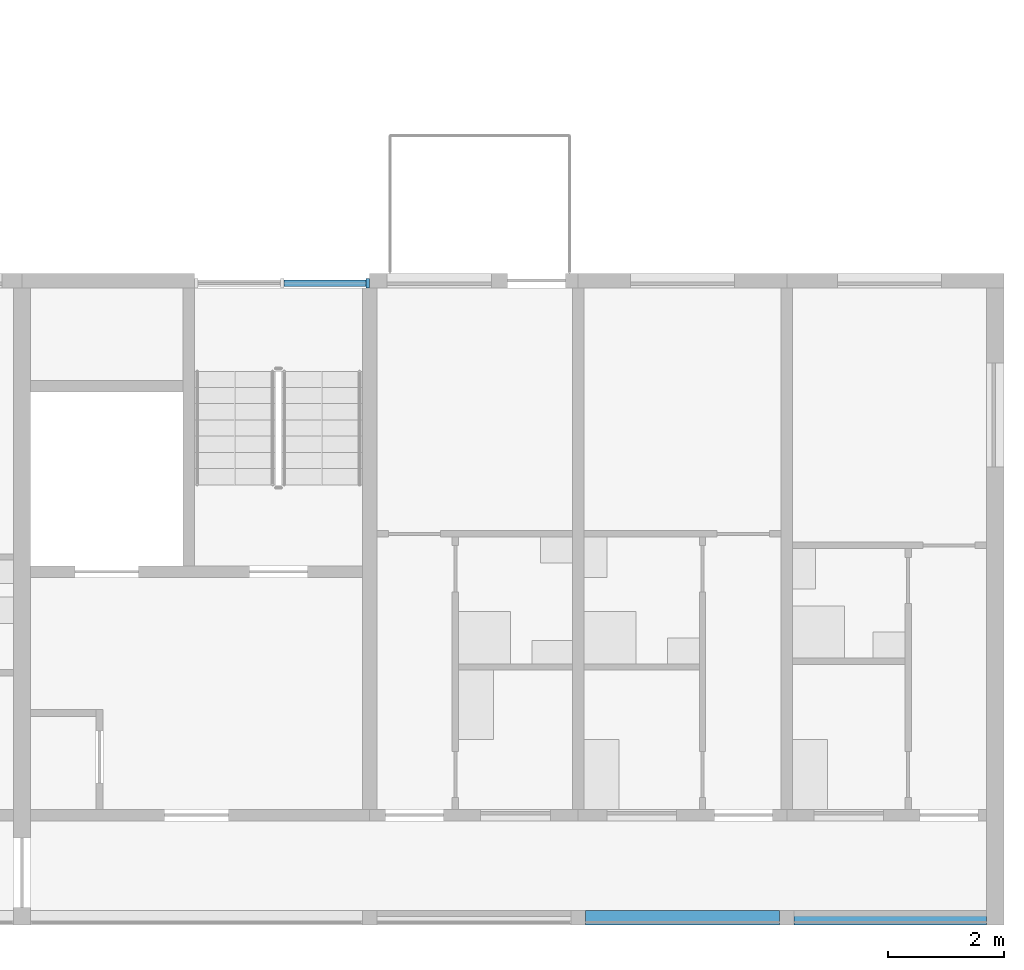
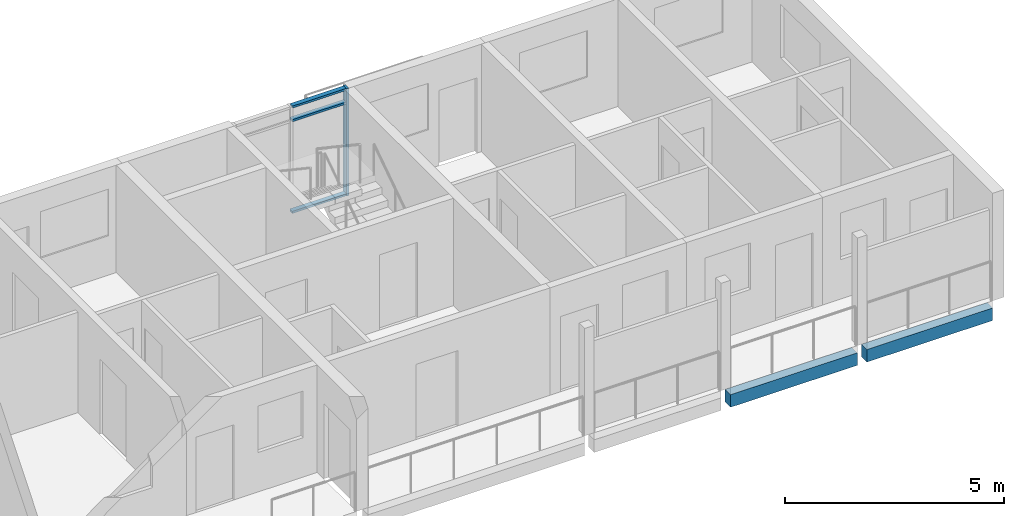
# One storey, part 19 of 87: 4 members, 2 beams, 1 element without a shape of its own.
"""IFC4 building model written with IfcOpenShell, lengths in metres."""

from ifc_helpers import new_model, si_unit, direction, frame, origin, origin_2d, place, context, subcontext, project, spatial, rectangle, extrude, material, material_profile, profile_set, type_object, element, aggregate, save


model = new_model("IFC4")

# Units and contexts
model_context = context("Model", 3, precision=1e-05, world=origin(), true_north=direction((0.0, 1.0)))
body_context = subcontext(model_context, "Body", "Model", "MODEL_VIEW")
ifc_project = project(units=[si_unit("LENGTHUNIT", "METRE"), si_unit("AREAUNIT", "SQUARE_METRE"), si_unit("VOLUMEUNIT", "CUBIC_METRE"), si_unit("PLANEANGLEUNIT", "RADIAN"), si_unit("MASSUNIT", "GRAM", prefix="KILO")], contexts=[model_context])

# Site, building, storey
site_placement = place(None, origin())
site = spatial("IfcSite", under=ifc_project, at=site_placement, CompositionType="ELEMENT")
building_placement = place(site_placement, origin())
building = spatial("IfcBuilding", under=site, at=building_placement, Name="Ridgestep Commons", CompositionType="ELEMENT")
storey_placement = place(building_placement, frame((0.0, 0.0, 27.0)))
storey = spatial("IfcBuildingStorey", under=building, at=storey_placement, Name="L09", CompositionType="ELEMENT", Elevation=27.0)

# Beams
ifc_material_1 = material(Name="Precast concrete C40/50", Category="concrete")
ifc_material_profile_1 = material_profile(ifc_material_1, rectangle(XDim=0.25, YDim=0.35009765625, at=origin_2d()), Name="PC 250x350")
ifc_profile_set_1 = profile_set([ifc_material_profile_1], Name="Precast concrete C40/50")
beam_type = type_object("IfcBeamType", Name="Loggia edge beam 250 x 350", PredefinedType="SPANDREL", material=ifc_profile_set_1)
beam_1_placement = place(storey_placement, frame((240.52490234375, 11.875, -0.375), z_axis=(1.0, 0.0, 0.0), x_axis=(0.0, 1.0, 0.0)))
element("IfcBeam", 1, at=beam_1_placement, inside=storey, type_object=beam_type, Name="Loggia edge beam D6T2 L09", PredefinedType="SPANDREL", context=body_context, shape_type="SweptSolid", body=[
    extrude(rectangle(XDim=0.25, YDim=0.35009765625, at=origin_2d()), origin(), (0.0, 0.0, 1.0), 3.35009765625),
])
beam_2_placement = place(storey_placement, frame((244.125, 11.875, -0.375), z_axis=(1.0, 0.0, 0.0), x_axis=(0.0, 1.0, 0.0)))
element("IfcBeam", 2, at=beam_2_placement, inside=storey, type_object=beam_type, Name="Loggia edge beam D6T1 L09", PredefinedType="SPANDREL", context=body_context, shape_type="SweptSolid", body=[
    extrude(rectangle(XDim=0.25, YDim=0.35009765625, at=origin_2d()), origin(), (0.0, 0.0, 1.0), 3.324951171875),
])

# Curtain wall, members
ifc_material_2 = material(Name="Aluminium 6063-T6 and glass", Category="aluminium")
curtain_wall_type = type_object("IfcCurtainWallType", Name="Curtain wall stair strip", PredefinedType="NOTDEFINED", material=ifc_material_2)
curtain_wall_placement = place(storey_placement, origin())
curtain_wall = element("IfcCurtainWall", 3, at=curtain_wall_placement, inside=storey, type_object=curtain_wall_type, Name="Curtain wall D6C level 09", PredefinedType="NOTDEFINED")
ifc_material_3 = material(Name="Aluminium 6063-T6", Category="aluminium")
ifc_material_profile_2 = material_profile(ifc_material_3, rectangle(XDim=0.159912109375, YDim=0.06005859375, at=origin_2d()), Name="Mullion 60 x 160")
ifc_profile_set_2 = profile_set([ifc_material_profile_2], Name="Aluminium 6063-T6")
member_type_1 = type_object("IfcMemberType", Name="Mullion 60 x 160", PredefinedType="MULLION", material=ifc_profile_set_2)
member_1_placement = place(storey_placement, frame((236.77001953125, 22.830078125, 0.0), z_axis=(0.0, 0.0, 1.0), x_axis=(0.0, 1.0, 0.0)))
member_1 = element("IfcMember", 4, at=member_1_placement, type_object=member_type_1, Name="CW1 mullion 3", PredefinedType="MULLION", context=body_context, shape_type="SweptSolid", body=[
    extrude(rectangle(XDim=0.159912109375, YDim=0.06005859375, at=origin_2d()), origin(), (0.0, 0.0, 1.0), 3.0),
])
ifc_material_4 = material(Name="Aluminium 6063-T6", Category="aluminium")
ifc_material_profile_3 = material_profile(ifc_material_4, rectangle(XDim=0.1201171875, YDim=0.06005859375, at=origin_2d()), Name="Transom 60 x 120")
ifc_profile_set_3 = profile_set([ifc_material_profile_3], Name="Aluminium 6063-T6")
member_type_2 = type_object("IfcMemberType", Name="Transom 60 x 120", PredefinedType="USERDEFINED", material=ifc_profile_set_3)
member_2_placement = place(storey_placement, frame((235.3173828125, 22.830078125, 0.030029296875), z_axis=(1.0, 0.0, 0.0), x_axis=(0.0, 1.0, 0.0)))
member_2 = element("IfcMember", 5, at=member_2_placement, type_object=member_type_2, Name="CW1 transom 2.1", ObjectType="TRANSOM", PredefinedType="USERDEFINED", context=body_context, shape_type="SweptSolid", body=[
    extrude(rectangle(XDim=0.1201171875, YDim=0.06005859375, at=origin_2d()), origin(), (0.0, 0.0, 1.0), 1.422607421875),
])
member_3_placement = place(storey_placement, frame((235.3173828125, 22.830078125, 2.590087890625), z_axis=(1.0, 0.0, 0.0), x_axis=(0.0, 1.0, 0.0)))
member_3 = element("IfcMember", 6, at=member_3_placement, type_object=member_type_2, Name="CW1 transom 2.2", ObjectType="TRANSOM", PredefinedType="USERDEFINED", context=body_context, shape_type="SweptSolid", body=[
    extrude(rectangle(XDim=0.1201171875, YDim=0.06005859375, at=origin_2d()), origin(), (0.0, 0.0, 1.0), 1.422607421875),
])
member_4_placement = place(storey_placement, frame((235.3173828125, 22.830078125, 2.969970703125), z_axis=(1.0, 0.0, 0.0), x_axis=(0.0, 1.0, 0.0)))
member_4 = element("IfcMember", 7, at=member_4_placement, type_object=member_type_2, Name="CW1 transom 2.3", ObjectType="TRANSOM", PredefinedType="USERDEFINED", context=body_context, shape_type="SweptSolid", body=[
    extrude(rectangle(XDim=0.1201171875, YDim=0.06005859375, at=origin_2d()), origin(), (0.0, 0.0, 1.0), 1.422607421875),
])
aggregate(curtain_wall, [member_1, member_2, member_3, member_4])

save(model, "model.ifc")
